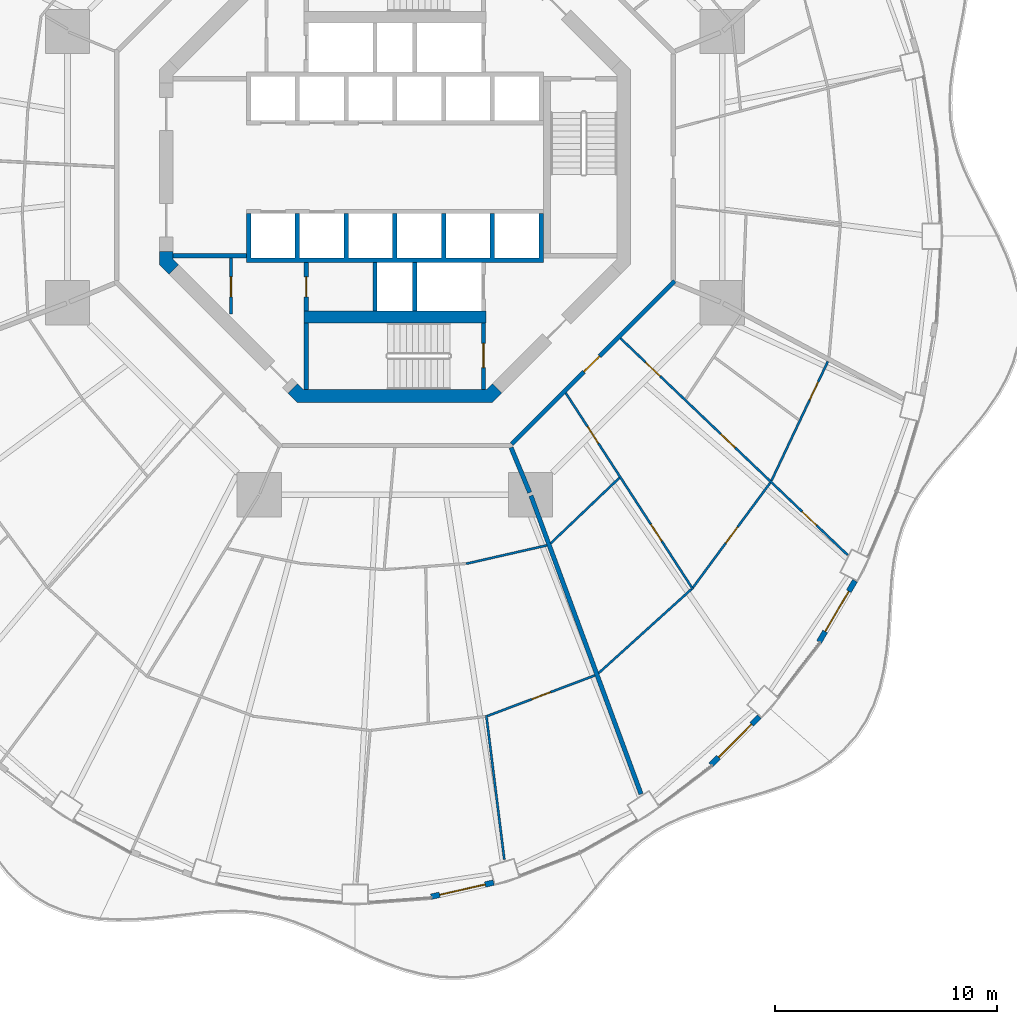
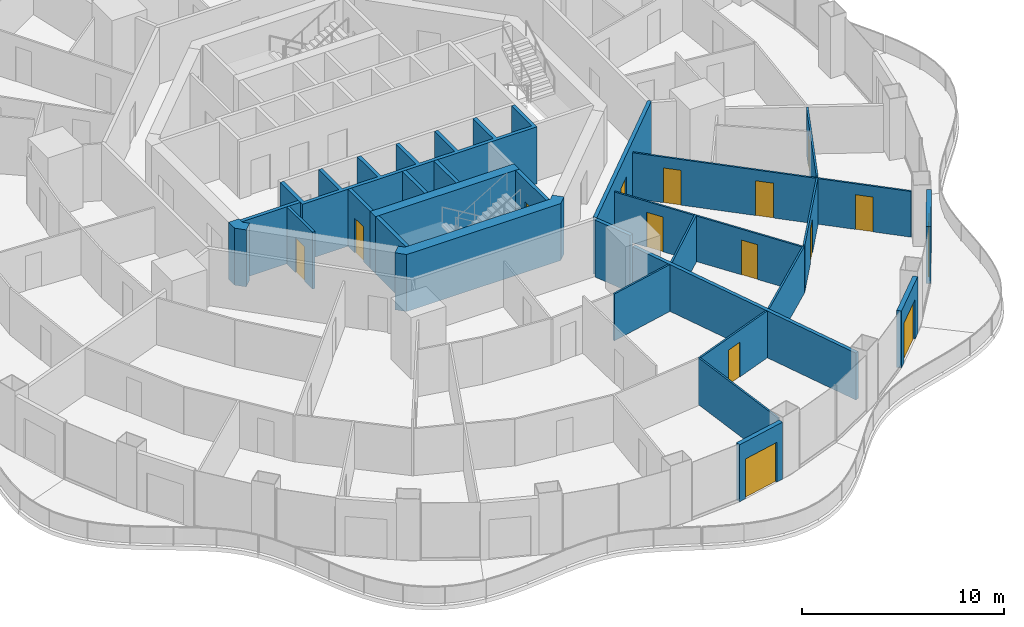
# One storey, part 13 of 20: 26 walls, 15 doors, 15 openings.
"""IFC4 building model written with IfcOpenShell, lengths in metres."""

import ifcopenshell
import ifcopenshell.guid

model = None  # the IFC model being written
_history = None  # IfcOwnerHistory: only IFC2X3 demands one
_inside = {}  # id of a spatial element -> (the spatial element, [elements in it])
_under = {}  # id of a project, library or spatial element -> (it, [spatial elements below it])
_declared = {}  # id of a project -> (the project, [libraries it declares])
_typed = {}  # id of a type object -> (the type object, [elements of that type])
_made_of = {}  # id of a material, layer set ... -> (it, [elements and type objects made of it])


def new_model(schema):
    """Start an empty IFC model of exactly this schema.

    Asked for "IFC4X3", IfcOpenShell would pick the latest addendum, in which some entities
    have other attributes; the version numbers below select the first issue.
    IFC2X3 requires an IfcOwnerHistory on every rooted entity: one is made here for all.
    """
    global model, _history
    if schema == "IFC4X3":
        model = ifcopenshell.file(schema_version=(4, 3, 0, 0))
    else:
        model = ifcopenshell.file(schema=schema)
    _inside.clear()
    _under.clear()
    _declared.clear()
    _typed.clear()
    _made_of.clear()
    _history = None
    if model.schema == "IFC2X3":
        org = make("IfcOrganization", Name="unknown")
        user = make(
            "IfcPersonAndOrganization",
            ThePerson=make("IfcPerson", FamilyName="unknown"),
            TheOrganization=org,
        )
        app = make(
            "IfcApplication",
            ApplicationDeveloper=org,
            Version="unknown",
            ApplicationFullName="unknown",
            ApplicationIdentifier="unknown",
        )
        _history = make(
            "IfcOwnerHistory",
            OwningUser=user,
            OwningApplication=app,
            ChangeAction="ADDED",
            CreationDate=0,
        )
    return model


def make(cls, **values):
    """One entity of the class cls with the attributes given. An attribute that is None is left unset."""
    return model.create_entity(
        cls, **{name: value for name, value in values.items() if value is not None}
    )


def rooted(cls, **values):
    """An entity with a GlobalId (a new one), such as an element, a storey or a relation."""
    return make(cls, GlobalId=ifcopenshell.guid.new(), OwnerHistory=_history, **values)


def si_unit(unit_type, name, prefix=None):
    """IfcSIUnit, for example si_unit("LENGTHUNIT", "METRE", prefix="MILLI")."""
    return make("IfcSIUnit", UnitType=unit_type, Prefix=prefix, Name=name)


def assignment(units):
    """IfcUnitAssignment: the units of a project."""
    return None if units is None else make("IfcUnitAssignment", Units=units)


def point(xyz):
    """IfcCartesianPoint."""
    return None if xyz is None else make("IfcCartesianPoint", Coordinates=xyz)


def direction(xyz):
    """IfcDirection."""
    return None if xyz is None else make("IfcDirection", DirectionRatios=xyz)


def frame(location, z_axis=None, x_axis=None):
    """IfcAxis2Placement3D, a coordinate frame: its origin and axes. An axis left out is left unset."""
    return make(
        "IfcAxis2Placement3D",
        Location=point(location),
        Axis=direction(z_axis),
        RefDirection=direction(x_axis),
    )


def frame_2d(location, x_axis=None):
    """IfcAxis2Placement2D, a coordinate frame in the plane: its origin and x axis."""
    return make(
        "IfcAxis2Placement2D", Location=point(location), RefDirection=direction(x_axis)
    )


def origin():
    """The frame at (0, 0, 0) with its axes left unset."""
    return frame((0.0, 0.0, 0.0))


def place(relative_to, where):
    """IfcLocalPlacement: puts the frame where relative to a parent placement (None: the world)."""
    return make(
        "IfcLocalPlacement", PlacementRelTo=relative_to, RelativePlacement=where
    )


def context(
    kind, dimensions, precision=None, world=None, true_north=None, identifier=None
):
    """IfcGeometricRepresentationContext, for example the 3D "Model" context."""
    return make(
        "IfcGeometricRepresentationContext",
        ContextIdentifier=identifier,
        ContextType=kind,
        CoordinateSpaceDimension=dimensions,
        Precision=precision,
        WorldCoordinateSystem=world,
        TrueNorth=true_north,
    )


def subcontext(parent, identifier, kind, view, scale=None):
    """IfcGeometricRepresentationSubContext, for example "Body" below "Model"."""
    return make(
        "IfcGeometricRepresentationSubContext",
        ContextIdentifier=identifier,
        ContextType=kind,
        ParentContext=parent,
        TargetScale=scale,
        TargetView=view,
    )


def project(units=None, contexts=None):
    """IfcProject with its units and contexts."""
    return rooted(
        "IfcProject",
        Name="project",
        RepresentationContexts=contexts,
        UnitsInContext=assignment(units),
    )


def spatial(cls, under=None, at=None, **own):
    """A site, building, storey or space (cls), placed at a placement, below another one or the project."""
    s = rooted(cls, ObjectPlacement=at, **own)
    if under is not None:
        _under.setdefault(under.id(), (under, []))[1].append(s)
    return s


def polyline(points):
    """IfcPolyline through the points."""
    return make("IfcPolyline", Points=[point(p) for p in points])


def profile(cls, at=None, kind="AREA", **sizes):
    """A parametric profile (cls). Its sizes go by their IFC names, for example OverallWidth=200.0."""
    return make(cls, ProfileType=kind, Position=at, **sizes)


def rectangle(**sizes):
    """IfcRectangleProfileDef."""
    return profile("IfcRectangleProfileDef", **sizes)


def outline(outer, holes=None, kind="AREA"):
    """IfcArbitraryClosedProfileDef: a profile drawn as a closed curve; with holes, ...WithVoids."""
    if holes is None:
        return make("IfcArbitraryClosedProfileDef", ProfileType=kind, OuterCurve=outer)
    return make(
        "IfcArbitraryProfileDefWithVoids",
        ProfileType=kind,
        OuterCurve=outer,
        InnerCurves=holes,
    )


def extrude(swept, where, along, depth):
    """IfcExtrudedAreaSolid: the profile swept, set in the frame where, extruded along a direction by depth."""
    return make(
        "IfcExtrudedAreaSolid",
        SweptArea=swept,
        Position=where,
        ExtrudedDirection=direction(along),
        Depth=depth,
    )


def shape(context_of_items, identifier, shape_type, items):
    """IfcShapeRepresentation: the items that make up one representation, for example the "Body"."""
    return make(
        "IfcShapeRepresentation",
        ContextOfItems=context_of_items,
        RepresentationIdentifier=identifier,
        RepresentationType=shape_type,
        Items=items,
    )


def material(Name=None, Category=None):
    """IfcMaterial."""
    return make("IfcMaterial", Name=Name, Category=Category)


def layer(
    of_material, thickness, ventilated=None, Name=None, Category=None, Priority=None
):
    """IfcMaterialLayer: one layer of a wall or slab, of a material (None: an air gap)."""
    return make(
        "IfcMaterialLayer",
        Material=of_material,
        LayerThickness=thickness,
        IsVentilated=ventilated,
        Name=Name,
        Category=Category,
        Priority=Priority,
    )


def layer_set(layers, Name=None):
    """IfcMaterialLayerSet."""
    return make("IfcMaterialLayerSet", MaterialLayers=layers, LayerSetName=Name)


def made_of(thing, what):
    """Note that an element or type object is made of a material, layer set ...; save() writes the relation."""
    if what is not None:
        _made_of.setdefault(what.id(), (what, []))[1].append(thing)
    return thing


def type_object(cls, material=None, **own):
    """A type object (cls), such as IfcWallType, which elements share."""
    return made_of(rooted(cls, **own), material)


def element(
    cls,
    number,
    at=None,
    inside=None,
    cuts=None,
    type_object=None,
    material=None,
    context=None,
    identifier="Body",
    shape_type=None,
    held_by="IfcProductDefinitionShape",
    body=None,
    shapes=None,
    **own,
):
    """One element of the class cls, such as IfcWall. Its Tag is "e" and its number.

    at: its placement. inside: the storey or other place that contains it. cuts: it is an
    opening in that element (IfcRelVoidsElement). A single representation is given by context,
    identifier, shape_type and body (its items); several are given by shapes. held_by: the class
    of the entity that holds the representations. save() writes the other relations.
    """
    e = rooted(cls, Tag="e%d" % number, ObjectPlacement=at, **own)
    if body is not None:
        shapes = [shape(context, identifier, shape_type, body)]
    if shapes is not None:
        e.Representation = make(held_by, Representations=shapes)
    if inside is not None:
        _inside.setdefault(inside.id(), (inside, []))[1].append(e)
    if cuts is not None:
        rooted(
            "IfcRelVoidsElement", RelatingBuildingElement=cuts, RelatedOpeningElement=e
        )
    if type_object is not None:
        _typed.setdefault(type_object.id(), (type_object, []))[1].append(e)
    return made_of(e, material)


def fill(opening, filler):
    """IfcRelFillsElement: the door or window that sits in an opening."""
    return rooted(
        "IfcRelFillsElement",
        RelatingOpeningElement=opening,
        RelatedBuildingElement=filler,
    )


def aggregate(whole, parts):
    """IfcRelAggregates: a whole, such as a stair, and the parts it consists of."""
    return rooted("IfcRelAggregates", RelatingObject=whole, RelatedObjects=parts)


def save(model, path):
    """Write the relations noted so far, then the file.

    IfcRelAggregates (storeys below a building ...), IfcRelContainedInSpatialStructure (elements
    in a storey), IfcRelDefinesByType, IfcRelAssociatesMaterial and IfcRelDeclares: one each for
    every whole, place, type object, material and project.
    """
    for whole, parts in _under.values():
        aggregate(whole, parts)
    for where, things in _inside.values():
        rooted(
            "IfcRelContainedInSpatialStructure",
            RelatedElements=things,
            RelatingStructure=where,
        )
    for kind, things in _typed.values():
        rooted("IfcRelDefinesByType", RelatedObjects=things, RelatingType=kind)
    for what, things in _made_of.values():
        rooted("IfcRelAssociatesMaterial", RelatedObjects=things, RelatingMaterial=what)
    for by, libraries in _declared.values():
        rooted("IfcRelDeclares", RelatingContext=by, RelatedDefinitions=libraries)
    model.write(path)


model = new_model("IFC4")

# Units and contexts
model_context = context("Model", 3, precision=1e-05, world=origin(), true_north=direction((0.0, 1.0)))
body_context = subcontext(model_context, "Body", "Model", "MODEL_VIEW")
ifc_project = project(units=[si_unit("LENGTHUNIT", "METRE"), si_unit("AREAUNIT", "SQUARE_METRE"), si_unit("VOLUMEUNIT", "CUBIC_METRE"), si_unit("PLANEANGLEUNIT", "RADIAN"), si_unit("MASSUNIT", "GRAM", prefix="KILO")], contexts=[model_context])

# Site, building, storey
site_placement = place(None, origin())
site = spatial("IfcSite", under=ifc_project, at=site_placement, CompositionType="ELEMENT")
building_placement = place(site_placement, origin())
building = spatial("IfcBuilding", under=site, at=building_placement, Name="Nagisa Residences", CompositionType="ELEMENT")
storey_placement = place(building_placement, frame((0.0, 0.0, 152.89990234375)))
storey = spatial("IfcBuildingStorey", under=building, at=storey_placement, Name="L38", CompositionType="ELEMENT", Elevation=152.89990234375)

# Walls
ifc_material_1 = material(Name="Gypsum board on steel studs", Category="steel")
ifc_layer_1 = layer(ifc_material_1, 0.199951171875)
ifc_layer_set_1 = layer_set([ifc_layer_1], Name="Apartment compartment wall EI60 200")
wall_type_1 = type_object("IfcWallType", Name="Apartment compartment wall EI60 200", PredefinedType="PARTITIONING", material=ifc_layer_set_1)
wall_1_placement = place(storey_placement, frame((5.24267578125, -12.6572265625, 0.0), z_axis=(0.0, 0.0, 1.0), x_axis=(0.38273085373, -0.923859888513, 0.0)))
element("IfcWall", 1, at=wall_1_placement, inside=storey, type_object=wall_type_1, Name="wall:L38:u08", PredefinedType="PARTITIONING", context=body_context, shape_type="SweptSolid", body=[
    extrude(rectangle(XDim=2.199462890625, YDim=0.199951171875, at=frame_2d((1.099609375, 0.0))), origin(), (0.0, 0.0, 1.0), 3.440185546875),
])
wall_2_placement = place(storey_placement, frame((6.14013671875, -14.8291015625, 0.0), z_axis=(0.0, 0.0, 1.0), x_axis=(0.346169582481, -0.938171956608, 0.0)))
element("IfcWall", 2, at=wall_2_placement, inside=storey, type_object=wall_type_1, Name="wall:L38:u09", PredefinedType="PARTITIONING", context=body_context, shape_type="SweptSolid", body=[
    extrude(rectangle(XDim=14.353515625, YDim=0.199951171875, at=frame_2d((7.1767578125, 0.0))), origin(), (0.0, 0.0, 1.0), 2.828125),
])

# Wall, opening, door
ifc_material_2 = material(Name="Gypsum board on steel studs", Category="steel")
ifc_layer_2 = layer(ifc_material_2, 0.199951171875)
ifc_layer_set_2 = layer_set([ifc_layer_2], Name="Apartment entry wall EI60 200")
wall_type_2 = type_object("IfcWallType", Name="Apartment entry wall EI60 200", PredefinedType="PARTITIONING", material=ifc_layer_set_2)
wall_3_placement = place(storey_placement, frame((5.275146484375, -12.494140625, 0.0), z_axis=(0.0, 0.0, 1.0), x_axis=(0.707106781187, 0.707106781187, 0.0)))
wall_3 = element("IfcWall", 3, at=wall_3_placement, inside=storey, type_object=wall_type_2, Name="wall:L38:u19", PredefinedType="PARTITIONING", context=body_context, shape_type="SweptSolid", body=[
    extrude(rectangle(XDim=10.4091796875, YDim=0.199951171875, at=frame_2d((5.20458984375, 0.0))), origin(), (0.0, 0.0, 1.0), 3.440185546875),
])
opening_1_placement = place(wall_3_placement, frame((4.6044921875, 0.0, 0.0)))
opening_1 = element("IfcOpeningElement", 4, at=opening_1_placement, cuts=wall_3, Name="Opening L38-U01", PredefinedType="OPENING", context=body_context, shape_type="SweptSolid", body=[
    extrude(rectangle(XDim=1.0, YDim=2.10009765625, at=frame_2d((0.5, 1.050048828125))), frame((0.0, 0.10986328125, 0.0), z_axis=(0.0, -1.0, 0.0), x_axis=(1.0, 0.0, 0.0)), (0.0, 0.0, 1.0), 0.219970703125),
])
ifc_material_3 = material(Name="Timber fire door set", Category="wood")
door_type_1 = type_object("IfcDoorType", Name="Apartment entry door FD30S 1000x2100", OperationType="NOTDEFINED", PredefinedType="DOOR", material=ifc_material_3)
door_1_placement = place(opening_1_placement, frame((1.0, 0.0, 0.0), x_axis=(-1.0, 0.0, 0.0)))
door_1 = element("IfcDoor", 5, at=door_1_placement, inside=storey, type_object=door_type_1, Name="Entry door, Apartment 38A", OperationType="SINGLE_SWING_RIGHT", OverallHeight=2.10009765625, OverallWidth=1.0, PredefinedType="DOOR", context=body_context, shape_type="SweptSolid", body=[
    extrude(rectangle(XDim=1.0, YDim=2.10009765625, at=frame_2d((0.5, 1.050048828125))), frame((0.0, 0.02490234375, 0.0), z_axis=(0.0, -1.0, 0.0), x_axis=(1.0, 0.0, 0.0)), (0.0, 0.0, 1.0), 0.050048828125),
])
fill(opening_1, door_1)

# Walls
ifc_material_4 = material(Name="Gypsum board on steel studs", Category="steel")
ifc_layer_3 = layer(ifc_material_4, 0.10009765625)
ifc_layer_set_3 = layer_set([ifc_layer_3], Name="Apartment partition 100")
wall_type_3 = type_object("IfcWallType", Name="Apartment partition 100", PredefinedType="PARTITIONING", material=ifc_layer_set_3)
wall_4_placement = place(storey_placement, frame((3.21923828125, -17.89990234375, 0.0), z_axis=(0.0, 0.0, 1.0), x_axis=(0.975106528652, 0.22173691118, 0.0)))
element("IfcWall", 6, at=wall_4_placement, inside=storey, type_object=wall_type_3, Name="wall:L38:u80", PredefinedType="PARTITIONING", context=body_context, shape_type="SweptSolid", body=[
    extrude(rectangle(XDim=3.73583984375, YDim=0.10009765625, at=frame_2d((1.867919921875, 0.0))), origin(), (0.0, 0.0, 1.0), 2.828125),
])
wall_5_placement = place(storey_placement, frame((4.124755859375, -24.740966796875, 0.0), z_axis=(0.0, 0.0, 1.0), x_axis=(0.124066794607, -0.992273868685, 0.0)))
element("IfcWall", 7, at=wall_5_placement, inside=storey, type_object=wall_type_3, Name="wall:L38:u81", PredefinedType="PARTITIONING", context=body_context, shape_type="SweptSolid", body=[
    extrude(rectangle(XDim=6.560791015625, YDim=0.10009765625, at=frame_2d((3.2802734375, 0.0))), origin(), (0.0, 0.0, 1.0), 2.828125),
])

# Wall, opening, door
wall_6_placement = place(storey_placement, frame((4.177734375, -24.77294921875, 0.0), z_axis=(0.0, 0.0, 1.0), x_axis=(0.935583811437, 0.353104703702, 0.0)))
wall_6 = element("IfcWall", 8, at=wall_6_placement, inside=storey, type_object=wall_type_3, Name="wall:L38:u82", PredefinedType="PARTITIONING", context=body_context, shape_type="SweptSolid", body=[
    extrude(rectangle(XDim=5.18359375, YDim=0.10009765625, at=frame_2d((2.591796875, 0.0))), origin(), (0.0, 0.0, 1.0), 2.828125),
])
opening_2_placement = place(wall_6_placement, frame((2.141845703125, 0.0, 0.0)))
opening_2 = element("IfcOpeningElement", 9, at=opening_2_placement, cuts=wall_6, Name="Opening L38-U58", PredefinedType="OPENING", context=body_context, shape_type="SweptSolid", body=[
    extrude(rectangle(XDim=0.89990234375, YDim=2.10009765625, at=frame_2d((0.449951171875, 1.050048828125))), frame((0.0, 0.06005859375, 0.0), z_axis=(0.0, -1.0, 0.0), x_axis=(1.0, 0.0, 0.0)), (0.0, 0.0, 1.0), 0.1201171875),
])
ifc_material_5 = material(Name="Timber door set", Category="wood")
door_type_2 = type_object("IfcDoorType", Name="Apartment door 900x2100", OperationType="NOTDEFINED", PredefinedType="DOOR", material=ifc_material_5)
door_2_placement = place(opening_2_placement, frame((0.89990234375, 0.0, 0.0), x_axis=(-1.0, 0.0, 0.0)))
door_2 = element("IfcDoor", 10, at=door_2_placement, inside=storey, type_object=door_type_2, Name="Door to kitchen, Apartment 38F", OperationType="SINGLE_SWING_LEFT", OverallHeight=2.10009765625, OverallWidth=0.89990234375, PredefinedType="DOOR", context=body_context, shape_type="SweptSolid", body=[
    extrude(rectangle(XDim=0.89990234375, YDim=2.10009765625, at=frame_2d((0.449951171875, 1.050048828125))), frame((0.0, 0.02490234375, 0.0), z_axis=(0.0, -1.0, 0.0), x_axis=(1.0, 0.0, 0.0)), (0.0, 0.0, 1.0), 0.050048828125),
])
fill(opening_2, door_2)

# Walls
wall_7_placement = place(storey_placement, frame((7.031982421875, -16.98046875, 0.0), z_axis=(0.0, 0.0, 1.0), x_axis=(0.723709759148, 0.690104473622, 0.0)))
element("IfcWall", 11, at=wall_7_placement, inside=storey, type_object=wall_type_3, Name="wall:L38:u83", PredefinedType="PARTITIONING", context=body_context, shape_type="SweptSolid", body=[
    extrude(rectangle(XDim=4.286376953125, YDim=0.10009765625, at=frame_2d((2.14306640625, 0.0))), origin(), (0.0, 0.0, 1.0), 2.828125),
])
wall_8_placement = place(storey_placement, frame((9.195068359375, -22.84033203125, 0.0), z_axis=(0.0, 0.0, 1.0), x_axis=(0.741675855479, 0.670758470241, 0.0)))
element("IfcWall", 12, at=wall_8_placement, inside=storey, type_object=wall_type_3, Name="wall:L38:u84", PredefinedType="PARTITIONING", context=body_context, shape_type="SweptSolid", body=[
    extrude(rectangle(XDim=5.65625, YDim=0.10009765625, at=frame_2d((2.828125, 0.0))), origin(), (0.0, 0.0, 1.0), 2.828125),
])

# Wall, openings, doors
wall_9_placement = place(storey_placement, frame((7.71240234375, -10.1953125, 0.0), z_axis=(0.0, 0.0, 1.0), x_axis=(0.543868615753, -0.839170381269, 0.0)))
wall_9 = element("IfcWall", 13, at=wall_9_placement, inside=storey, type_object=wall_type_3, Name="wall:L38:u85", PredefinedType="PARTITIONING", context=body_context, shape_type="SweptSolid", body=[
    extrude(rectangle(XDim=10.5576171875, YDim=0.10009765625, at=frame_2d((5.27880859375, 0.0))), origin(), (0.0, 0.0, 1.0), 2.756103515625),
])
opening_3_placement = place(wall_9_placement, frame((1.809814453125, 0.0, 0.0)))
opening_3 = element("IfcOpeningElement", 14, at=opening_3_placement, cuts=wall_9, Name="Opening L38-U02", PredefinedType="OPENING", context=body_context, shape_type="SweptSolid", body=[
    extrude(rectangle(XDim=0.89990234375, YDim=2.10009765625, at=frame_2d((0.449951171875, 1.050048828125))), frame((0.0, 0.06005859375, 0.0), z_axis=(0.0, -1.0, 0.0), x_axis=(1.0, 0.0, 0.0)), (0.0, 0.0, 1.0), 0.1201171875),
])
opening_4_placement = place(wall_9_placement, frame((7.063720703125, 0.0, 0.0)))
opening_4 = element("IfcOpeningElement", 15, at=opening_4_placement, cuts=wall_9, Name="Opening L38-U04", PredefinedType="OPENING", context=body_context, shape_type="SweptSolid", body=[
    extrude(rectangle(XDim=0.89990234375, YDim=2.10009765625, at=frame_2d((0.449951171875, 1.050048828125))), frame((0.0, 0.06005859375, 0.0), z_axis=(0.0, -1.0, 0.0), x_axis=(1.0, 0.0, 0.0)), (0.0, 0.0, 1.0), 0.1201171875),
])
door_3_placement = place(opening_3_placement, frame((0.89990234375, 0.0, 0.0), x_axis=(-1.0, 0.0, 0.0)))
door_3 = element("IfcDoor", 16, at=door_3_placement, inside=storey, type_object=door_type_2, Name="Door to laundry, Apartment 38A", OperationType="SINGLE_SWING_LEFT", OverallHeight=2.10009765625, OverallWidth=0.89990234375, PredefinedType="DOOR", context=body_context, shape_type="SweptSolid", body=[
    extrude(rectangle(XDim=0.89990234375, YDim=2.10009765625, at=frame_2d((0.449951171875, 1.050048828125))), frame((0.0, 0.02490234375, 0.0), z_axis=(0.0, -1.0, 0.0), x_axis=(1.0, 0.0, 0.0)), (0.0, 0.0, 1.0), 0.050048828125),
])
fill(opening_3, door_3)
door_4_placement = place(opening_4_placement, frame((0.89990234375, 0.0, 0.0), x_axis=(-1.0, 0.0, 0.0)))
door_4 = element("IfcDoor", 17, at=door_4_placement, inside=storey, type_object=door_type_2, Name="Door to kitchen, Apartment 38A", OperationType="SINGLE_SWING_LEFT", OverallHeight=2.10009765625, OverallWidth=0.89990234375, PredefinedType="DOOR", context=body_context, shape_type="SweptSolid", body=[
    extrude(rectangle(XDim=0.89990234375, YDim=2.10009765625, at=frame_2d((0.449951171875, 1.050048828125))), frame((0.0, 0.02490234375, 0.0), z_axis=(0.0, -1.0, 0.0), x_axis=(1.0, 0.0, 0.0)), (0.0, 0.0, 1.0), 0.050048828125),
])
fill(opening_4, door_4)

# Wall, opening, door
wall_10_placement = place(storey_placement, frame((13.456787109375, -18.97265625, 0.0), z_axis=(0.0, 0.0, 1.0), x_axis=(0.593532053206, 0.80481035146, 0.0)))
wall_10 = element("IfcWall", 18, at=wall_10_placement, inside=storey, type_object=wall_type_3, Name="wall:L38:u86", PredefinedType="PARTITIONING", context=body_context, shape_type="SweptSolid", body=[
    extrude(rectangle(XDim=5.8759765625, YDim=0.10009765625, at=frame_2d((2.93798828125, 0.0))), origin(), (0.0, 0.0, 1.0), 2.828125),
])
opening_5_placement = place(wall_10_placement, frame((2.48779296875, 0.0, 0.0)))
opening_5 = element("IfcOpeningElement", 19, at=opening_5_placement, cuts=wall_10, Name="Opening L38-U06", PredefinedType="OPENING", context=body_context, shape_type="SweptSolid", body=[
    extrude(rectangle(XDim=0.89990234375, YDim=2.10009765625, at=frame_2d((0.449951171875, 1.050048828125))), frame((0.0, 0.06005859375, 0.0), z_axis=(0.0, -1.0, 0.0), x_axis=(1.0, 0.0, 0.0)), (0.0, 0.0, 1.0), 0.1201171875),
])
door_5_placement = place(opening_5_placement, frame((0.89990234375, 0.0, 0.0), x_axis=(-1.0, 0.0, 0.0)))
door_5 = element("IfcDoor", 20, at=door_5_placement, inside=storey, type_object=door_type_2, Name="Door to family room, Apartment 38A", OperationType="SINGLE_SWING_LEFT", OverallHeight=2.10009765625, OverallWidth=0.89990234375, PredefinedType="DOOR", context=body_context, shape_type="SweptSolid", body=[
    extrude(rectangle(XDim=0.89990234375, YDim=2.10009765625, at=frame_2d((0.449951171875, 1.050048828125))), frame((0.0, 0.02490234375, 0.0), z_axis=(0.0, -1.0, 0.0), x_axis=(1.0, 0.0, 0.0)), (0.0, 0.0, 1.0), 0.050048828125),
])
fill(opening_5, door_5)

# Wall, openings, doors
wall_11_placement = place(storey_placement, frame((10.18359375, -7.72705078125, 0.0), z_axis=(0.0, 0.0, 1.0), x_axis=(0.723635100101, -0.690182759783, 0.0)))
wall_11 = element("IfcWall", 21, at=wall_11_placement, inside=storey, type_object=wall_type_3, Name="wall:L38:u87", PredefinedType="PARTITIONING", context=body_context, shape_type="SweptSolid", body=[
    extrude(rectangle(XDim=14.173095703125, YDim=0.10009765625, at=frame_2d((7.08642578125, 0.0))), origin(), (0.0, 0.0, 1.0), 2.756103515625),
])
opening_6_placement = place(wall_11_placement, frame((1.56494140625, 0.0, 0.0)))
opening_6 = element("IfcOpeningElement", 22, at=opening_6_placement, cuts=wall_11, Name="Opening L38-U03", PredefinedType="OPENING", context=body_context, shape_type="SweptSolid", body=[
    extrude(rectangle(XDim=0.89990234375, YDim=2.10009765625, at=frame_2d((0.449951171875, 1.050048828125))), frame((0.0, 0.06005859375, 0.0), z_axis=(0.0, -1.0, 0.0), x_axis=(1.0, 0.0, 0.0)), (0.0, 0.0, 1.0), 0.1201171875),
])
opening_7_placement = place(wall_11_placement, frame((6.2568359375, 0.0, 0.0)))
opening_7 = element("IfcOpeningElement", 23, at=opening_7_placement, cuts=wall_11, Name="Opening L38-U05", PredefinedType="OPENING", context=body_context, shape_type="SweptSolid", body=[
    extrude(rectangle(XDim=0.89990234375, YDim=2.10009765625, at=frame_2d((0.449951171875, 1.050048828125))), frame((0.0, 0.06005859375, 0.0), z_axis=(0.0, -1.0, 0.0), x_axis=(1.0, 0.0, 0.0)), (0.0, 0.0, 1.0), 0.1201171875),
])
opening_8_placement = place(wall_11_placement, frame((11.328369140625, 0.0, 0.0)))
opening_8 = element("IfcOpeningElement", 24, at=opening_8_placement, cuts=wall_11, Name="Opening L38-U07", PredefinedType="OPENING", context=body_context, shape_type="SweptSolid", body=[
    extrude(rectangle(XDim=0.89990234375, YDim=2.10009765625, at=frame_2d((0.449951171875, 1.050048828125))), frame((0.0, 0.06005859375, 0.0), z_axis=(0.0, -1.0, 0.0), x_axis=(1.0, 0.0, 0.0)), (0.0, 0.0, 1.0), 0.1201171875),
])
door_6_placement = place(opening_6_placement, origin())
door_6 = element("IfcDoor", 25, at=door_6_placement, inside=storey, type_object=door_type_2, Name="Door to store, Apartment 38A", OperationType="SINGLE_SWING_LEFT", OverallHeight=2.10009765625, OverallWidth=0.89990234375, PredefinedType="DOOR", context=body_context, shape_type="SweptSolid", body=[
    extrude(rectangle(XDim=0.89990234375, YDim=2.10009765625, at=frame_2d((0.449951171875, 1.050048828125))), frame((0.0, 0.02490234375, 0.0), z_axis=(0.0, -1.0, 0.0), x_axis=(1.0, 0.0, 0.0)), (0.0, 0.0, 1.0), 0.050048828125),
])
fill(opening_6, door_6)
door_7_placement = place(opening_7_placement, origin())
door_7 = element("IfcDoor", 26, at=door_7_placement, inside=storey, type_object=door_type_2, Name="Door to family bathroom, Apartment 38A", OperationType="SINGLE_SWING_LEFT", OverallHeight=2.10009765625, OverallWidth=0.89990234375, PredefinedType="DOOR", context=body_context, shape_type="SweptSolid", body=[
    extrude(rectangle(XDim=0.89990234375, YDim=2.10009765625, at=frame_2d((0.449951171875, 1.050048828125))), frame((0.0, 0.02490234375, 0.0), z_axis=(0.0, -1.0, 0.0), x_axis=(1.0, 0.0, 0.0)), (0.0, 0.0, 1.0), 0.050048828125),
])
fill(opening_7, door_7)
door_8_placement = place(opening_8_placement, origin())
door_8 = element("IfcDoor", 27, at=door_8_placement, inside=storey, type_object=door_type_2, Name="Door to master bedroom, Apartment 38A", OperationType="SINGLE_SWING_LEFT", OverallHeight=2.10009765625, OverallWidth=0.89990234375, PredefinedType="DOOR", context=body_context, shape_type="SweptSolid", body=[
    extrude(rectangle(XDim=0.89990234375, YDim=2.10009765625, at=frame_2d((0.449951171875, 1.050048828125))), frame((0.0, 0.02490234375, 0.0), z_axis=(0.0, -1.0, 0.0), x_axis=(1.0, 0.0, 0.0)), (0.0, 0.0, 1.0), 0.050048828125),
])
fill(opening_8, door_8)

# Wall, opening, door
wall_12_placement = place(storey_placement, frame((16.995361328125, -14.158203125, 0.0), z_axis=(0.0, 0.0, 1.0), x_axis=(0.427436809038, 0.904045228005, 0.0)))
wall_12 = element("IfcWall", 28, at=wall_12_placement, inside=storey, type_object=wall_type_3, Name="wall:L38:u89", PredefinedType="PARTITIONING", context=body_context, shape_type="SweptSolid", body=[
    extrude(rectangle(XDim=5.963134765625, YDim=0.10009765625, at=frame_2d((2.9814453125, 0.0))), origin(), (0.0, 0.0, 1.0), 2.828125),
])
opening_9_placement = place(wall_12_placement, frame((4.034912109375, 0.0, 0.0)))
opening_9 = element("IfcOpeningElement", 29, at=opening_9_placement, cuts=wall_12, Name="Opening L38-U08", PredefinedType="OPENING", context=body_context, shape_type="SweptSolid", body=[
    extrude(rectangle(XDim=0.89990234375, YDim=2.10009765625, at=frame_2d((0.449951171875, 1.050048828125))), frame((0.0, 0.06005859375, 0.0), z_axis=(0.0, -1.0, 0.0), x_axis=(1.0, 0.0, 0.0)), (0.0, 0.0, 1.0), 0.1201171875),
])
door_9_placement = place(opening_9_placement, origin())
door_9 = element("IfcDoor", 30, at=door_9_placement, inside=storey, type_object=door_type_2, Name="Door to en-suite bathroom, Apartment 38A", OperationType="SINGLE_SWING_RIGHT", OverallHeight=2.10009765625, OverallWidth=0.89990234375, PredefinedType="DOOR", context=body_context, shape_type="SweptSolid", body=[
    extrude(rectangle(XDim=0.89990234375, YDim=2.10009765625, at=frame_2d((0.449951171875, 1.050048828125))), frame((0.0, 0.02490234375, 0.0), z_axis=(0.0, -1.0, 0.0), x_axis=(1.0, 0.0, 0.0)), (0.0, 0.0, 1.0), 0.050048828125),
])
fill(opening_9, door_9)

ifc_material_6 = material(Name="Precast concrete C40/50", Category="concrete")
ifc_layer_4 = layer(ifc_material_6, 0.25)
ifc_layer_set_4 = layer_set([ifc_layer_4], Name="BALCONY DOOR WALL 250")
wall_type_4 = type_object("IfcWallType", Name="BALCONY DOOR WALL 250", PredefinedType="SOLIDWALL", material=ifc_layer_set_4)
wall_13_placement = place(storey_placement, frame((4.455078125, -32.29443359375, 0.0), z_axis=(0.0, 0.0, 1.0), x_axis=(-0.975339035722, -0.220711951186, 0.0)))
wall_13 = element("IfcWall", 31, at=wall_13_placement, inside=storey, type_object=wall_type_4, Name="wall:L38:bay37", PredefinedType="SOLIDWALL", context=body_context, shape_type="SweptSolid", body=[
    extrude(rectangle(XDim=2.890380859375, YDim=0.25, at=frame_2d((1.4453125, 0.0))), origin(), (0.0, 0.0, 1.0), 3.440185546875),
])
opening_10_placement = place(wall_13_placement, frame((0.395263671875, 0.0, 0.0)))
opening_10 = element("IfcOpeningElement", 32, at=opening_10_placement, cuts=wall_13, Name="Opening BD-L38-13", PredefinedType="OPENING", context=body_context, shape_type="SweptSolid", body=[
    extrude(rectangle(XDim=2.10009765625, YDim=2.39990234375, at=frame_2d((1.050048828125, 1.199951171875))), frame((0.0, 0.135009765625, 0.0), z_axis=(0.0, -1.0, 0.0), x_axis=(1.0, 0.0, 0.0)), (0.0, 0.0, 1.0), 0.27001953125),
])
ifc_material_7 = material(Name="Aluminium and clear glass", Category="aluminium")
door_type_3 = type_object("IfcDoorType", Name="BALCONY SLIDING DOOR 2100x2400", OperationType="SLIDING_TO_LEFT", PredefinedType="DOOR", material=ifc_material_7)
door_10_placement = place(opening_10_placement, origin())
door_10 = element("IfcDoor", 33, at=door_10_placement, inside=storey, type_object=door_type_3, Name="door:L38:bay37", OperationType="SLIDING_TO_LEFT", OverallHeight=2.39990234375, OverallWidth=2.10009765625, PredefinedType="DOOR", context=body_context, shape_type="SweptSolid", body=[
    extrude(rectangle(XDim=2.10009765625, YDim=2.39990234375, at=frame_2d((1.050048828125, 1.199951171875))), frame((0.0, 0.02490234375, 0.0), z_axis=(0.0, -1.0, 0.0), x_axis=(1.0, 0.0, 0.0)), (0.0, 0.0, 1.0), 0.050048828125),
])
fill(opening_10, door_10)

wall_14_placement = place(storey_placement, frame((16.4501953125, -24.80419921875, 0.0), z_axis=(0.0, 0.0, 1.0), x_axis=(-0.707857739375, -0.706355024621, 0.0)))
wall_14 = element("IfcWall", 34, at=wall_14_placement, inside=storey, type_object=wall_type_4, Name="wall:L38:bay41", PredefinedType="SOLIDWALL", context=body_context, shape_type="SweptSolid", body=[
    extrude(rectangle(XDim=3.0869140625, YDim=0.25, at=frame_2d((1.54345703125, 0.0))), origin(), (0.0, 0.0, 1.0), 3.440185546875),
])
opening_11_placement = place(wall_14_placement, frame((0.493408203125, 0.0, 0.0)))
opening_11 = element("IfcOpeningElement", 35, at=opening_11_placement, cuts=wall_14, Name="Opening BD-L38-14", PredefinedType="OPENING", context=body_context, shape_type="SweptSolid", body=[
    extrude(rectangle(XDim=2.10009765625, YDim=2.39990234375, at=frame_2d((1.050048828125, 1.199951171875))), frame((0.0, 0.135009765625, 0.0), z_axis=(0.0, -1.0, 0.0), x_axis=(1.0, 0.0, 0.0)), (0.0, 0.0, 1.0), 0.27001953125),
])
door_11_placement = place(opening_11_placement, origin())
door_11 = element("IfcDoor", 36, at=door_11_placement, inside=storey, type_object=door_type_3, Name="door:L38:bay41", OperationType="SLIDING_TO_LEFT", OverallHeight=2.39990234375, OverallWidth=2.10009765625, PredefinedType="DOOR", context=body_context, shape_type="SweptSolid", body=[
    extrude(rectangle(XDim=2.10009765625, YDim=2.39990234375, at=frame_2d((1.050048828125, 1.199951171875))), frame((0.0, 0.02490234375, 0.0), z_axis=(0.0, -1.0, 0.0), x_axis=(1.0, 0.0, 0.0)), (0.0, 0.0, 1.0), 0.050048828125),
])
fill(opening_11, door_11)

wall_15_placement = place(storey_placement, frame((20.768310546875, -18.669189453125, 0.0), z_axis=(0.0, 0.0, 1.0), x_axis=(-0.506314982873, -0.862348617508, 0.0)))
wall_15 = element("IfcWall", 37, at=wall_15_placement, inside=storey, type_object=wall_type_4, Name="wall:L38:bay43", PredefinedType="SOLIDWALL", context=body_context, shape_type="SweptSolid", body=[
    extrude(rectangle(XDim=3.20849609375, YDim=0.25, at=frame_2d((1.604248046875, 0.0))), origin(), (0.0, 0.0, 1.0), 3.440185546875),
])
opening_12_placement = place(wall_15_placement, frame((0.55419921875, 0.0, 0.0)))
opening_12 = element("IfcOpeningElement", 38, at=opening_12_placement, cuts=wall_15, Name="Opening BD-L38-15", PredefinedType="OPENING", context=body_context, shape_type="SweptSolid", body=[
    extrude(rectangle(XDim=2.10009765625, YDim=2.39990234375, at=frame_2d((1.050048828125, 1.199951171875))), frame((0.0, 0.135009765625, 0.0), z_axis=(0.0, -1.0, 0.0), x_axis=(1.0, 0.0, 0.0)), (0.0, 0.0, 1.0), 0.27001953125),
])
door_12_placement = place(opening_12_placement, origin())
door_12 = element("IfcDoor", 39, at=door_12_placement, inside=storey, type_object=door_type_3, Name="door:L38:bay43", OperationType="SLIDING_TO_LEFT", OverallHeight=2.39990234375, OverallWidth=2.10009765625, PredefinedType="DOOR", context=body_context, shape_type="SweptSolid", body=[
    extrude(rectangle(XDim=2.10009765625, YDim=2.39990234375, at=frame_2d((1.050048828125, 1.199951171875))), frame((0.0, 0.02490234375, 0.0), z_axis=(0.0, -1.0, 0.0), x_axis=(1.0, 0.0, 0.0)), (0.0, 0.0, 1.0), 0.050048828125),
])
fill(opening_12, door_12)

ifc_material_8 = material(Name="Gypsum board on steel studs", Category="steel")
ifc_layer_5 = layer(ifc_material_8, 0.14990234375)
ifc_layer_set_5 = layer_set([ifc_layer_5], Name="Core partition 150")
wall_type_5 = type_object("IfcWallType", Name="Core partition 150", PredefinedType="PARTITIONING", material=ifc_layer_set_5)
wall_16_placement = place(storey_placement, frame((-7.39990234375, -6.626953125, 0.0), z_axis=(0.0, 0.0, 1.0), x_axis=(0.0, 1.0, 0.0)))
wall_16 = element("IfcWall", 40, at=wall_16_placement, inside=storey, type_object=wall_type_5, Name="wall:L38:SWp", PredefinedType="PARTITIONING", context=body_context, shape_type="SweptSolid", body=[
    extrude(rectangle(XDim=2.52685546875, YDim=0.14990234375, at=frame_2d((1.263427734375, 0.0))), origin(), (0.0, 0.0, 1.0), 3.440185546875),
])
opening_13_placement = place(wall_16_placement, frame((0.77587890625, 0.0, 0.0)))
opening_13 = element("IfcOpeningElement", 41, at=opening_13_placement, cuts=wall_16, Name="Opening L38-C13", PredefinedType="OPENING", context=body_context, shape_type="SweptSolid", body=[
    extrude(rectangle(XDim=0.89990234375, YDim=2.10009765625, at=frame_2d((0.449951171875, 1.050048828125))), frame((0.0, 0.0849609375, 0.0), z_axis=(0.0, -1.0, 0.0), x_axis=(1.0, 0.0, 0.0)), (0.0, 0.0, 1.0), 0.169921875),
])
ifc_material_9 = material(Name="Steel fire door", Category="steel")
door_type_4 = type_object("IfcDoorType", Name="Fire door EI30 900x2100 single swing", OperationType="NOTDEFINED", PredefinedType="DOOR", material=ifc_material_9)
door_13_placement = place(opening_13_placement, origin())
door_13 = element("IfcDoor", 42, at=door_13_placement, inside=storey, type_object=door_type_4, Name="Valet store door L38", OperationType="SINGLE_SWING_RIGHT", OverallHeight=2.10009765625, OverallWidth=0.89990234375, PredefinedType="DOOR", context=body_context, shape_type="SweptSolid", body=[
    extrude(rectangle(XDim=0.89990234375, YDim=2.10009765625, at=frame_2d((0.449951171875, 1.050048828125))), frame((0.0, 0.02490234375, 0.0), z_axis=(0.0, -1.0, 0.0), x_axis=(1.0, 0.0, 0.0)), (0.0, 0.0, 1.0), 0.050048828125),
])
fill(opening_13, door_13)

# Walls
ifc_material_10 = material(Name="Gypsum board on steel studs", Category="steel")
ifc_layer_6 = layer(ifc_material_10, 0.199951171875)
ifc_layer_set_6 = layer_set([ifc_layer_6], Name="Core partition 200")
wall_type_6 = type_object("IfcWallType", Name="Core partition 200", PredefinedType="PARTITIONING", material=ifc_layer_set_6)
wall_17_placement = place(storey_placement, frame((-10.024658203125, -4.0, 0.0), z_axis=(0.0, 0.0, 1.0), x_axis=(1.0, 0.0, 0.0)))
element("IfcWall", 43, at=wall_17_placement, inside=storey, type_object=wall_type_6, Name="wall:L38:PSW", PredefinedType="PARTITIONING", context=body_context, shape_type="SweptSolid", body=[
    extrude(rectangle(XDim=3.32470703125, YDim=0.199951171875, at=frame_2d((1.662353515625, 0.0))), origin(), (0.0, 0.0, 1.0), 3.440185546875),
])
ifc_material_11 = material(Name="Concrete C60", Category="concrete")
ifc_layer_7 = layer(ifc_material_11, 0.60009765625)
ifc_layer_set_7 = layer_set([ifc_layer_7], Name="Core shear wall 600")
wall_type_7 = type_object("IfcWallType", Name="Core shear wall 600", PredefinedType="SHEAR", material=ifc_layer_set_7)
wall_18_placement = place(storey_placement, origin())
element("IfcWall", 44, at=wall_18_placement, inside=storey, type_object=wall_type_7, Name="wall:L38:core:pier4", PredefinedType="SHEAR", context=body_context, shape_type="SweptSolid", body=[
    extrude(outline(polyline([(-10.62451171875, -3.80078125), (-10.024658203125, -3.80078125), (-10.024658203125, -4.15234375), (-9.776123046875, -4.40087890625), (-10.200439453125, -4.8251953125), (-10.62451171875, -4.40087890625), (-10.62451171875, -3.80078125)])), origin(), (0.0, 0.0, 1.0), 3.440185546875),
])
wall_19_placement = place(storey_placement, origin())
element("IfcWall", 45, at=wall_19_placement, inside=storey, type_object=wall_type_7, Name="wall:L38:core:flat6", PredefinedType="SHEAR", context=body_context, shape_type="SweptSolid", body=[
    extrude(outline(polyline([(-4.15234375, -10.024658203125), (4.15234375, -10.024658203125), (4.40087890625, -9.776123046875), (4.8251953125, -10.200439453125), (4.40087890625, -10.62451171875), (-4.40087890625, -10.62451171875), (-4.8251953125, -10.200439453125), (-4.40087890625, -9.776123046875), (-4.15234375, -10.024658203125)])), origin(), (0.0, 0.0, 1.0), 3.440185546875),
])

# Wall, opening, door
ifc_material_12 = material(Name="Concrete C60", Category="concrete")
ifc_layer_8 = layer(ifc_material_12, 0.199951171875)
ifc_layer_set_8 = layer_set([ifc_layer_8], Name="Lift shaft wall 200")
wall_type_8 = type_object("IfcWallType", Name="Lift shaft wall 200", PredefinedType="SOLIDWALL", material=ifc_layer_set_8)
wall_20_placement = place(storey_placement, frame((-4.0, -6.5, 0.0), z_axis=(0.0, 0.0, 1.0), x_axis=(0.0, 1.0, 0.0)))
wall_20 = element("IfcWall", 46, at=wall_20_placement, inside=storey, type_object=wall_type_8, Name="wall:L38:Sb4", PredefinedType="SOLIDWALL", context=body_context, shape_type="SweptSolid", body=[
    extrude(rectangle(XDim=2.199951171875, YDim=0.199951171875, at=frame_2d((1.10009765625, 0.0))), origin(), (0.0, 0.0, 1.0), 3.440185546875),
])
opening_14_placement = place(wall_20_placement, frame((0.64990234375, 0.0, 0.0)))
opening_14 = element("IfcOpeningElement", 47, at=opening_14_placement, cuts=wall_20, Name="Opening L38-C14", PredefinedType="OPENING", context=body_context, shape_type="SweptSolid", body=[
    extrude(rectangle(XDim=0.89990234375, YDim=2.10009765625, at=frame_2d((0.449951171875, 1.050048828125))), frame((0.0, 0.10986328125, 0.0), z_axis=(0.0, -1.0, 0.0), x_axis=(1.0, 0.0, 0.0)), (0.0, 0.0, 1.0), 0.219970703125),
])
door_14_placement = place(opening_14_placement, frame((0.89990234375, 0.0, 0.0), x_axis=(-1.0, 0.0, 0.0)))
door_14 = element("IfcDoor", 48, at=door_14_placement, inside=storey, type_object=door_type_4, Name="Refuse room door L38", OperationType="SINGLE_SWING_LEFT", OverallHeight=2.10009765625, OverallWidth=0.89990234375, PredefinedType="DOOR", context=body_context, shape_type="SweptSolid", body=[
    extrude(rectangle(XDim=0.89990234375, YDim=2.10009765625, at=frame_2d((0.449951171875, 1.050048828125))), frame((0.0, 0.02490234375, 0.0), z_axis=(0.0, -1.0, 0.0), x_axis=(1.0, 0.0, 0.0)), (0.0, 0.0, 1.0), 0.050048828125),
])
fill(opening_14, door_14)

# Walls
for number, where, z_axis, x_axis, name in (
    (49, (-0.89990234375, -6.5, 0.0), (0.0, 0.0, 1.0), (0.0, 1.0, 0.0), "wall:L38:Sb1"),
    (50, (0.89990234375, -6.5, 0.0), (0.0, 0.0, 1.0), (0.0, 1.0, 0.0), "wall:L38:Sb2"),
):
    element("IfcWall", number, at=place(storey_placement, frame(where, z_axis=z_axis, x_axis=x_axis)), inside=storey, type_object=wall_type_8, Name=name, PredefinedType="SOLIDWALL", context=body_context, shape_type="SweptSolid", body=[
        extrude(rectangle(XDim=2.199951171875, YDim=0.199951171875, at=frame_2d((1.10009765625, 0.0))), origin(), (0.0, 0.0, 1.0), 3.440185546875),
    ])
wall_21_placement = place(storey_placement, origin())
element("IfcWall", 51, at=wall_21_placement, inside=storey, type_object=wall_type_8, Name="wall:L38:Sback", PredefinedType="SOLIDWALL", context=body_context, shape_type="SweptSolid", body=[
    extrude(outline(polyline([(-6.699951171875, -2.10009765625), (-6.5, -2.10009765625), (-6.5, -4.10009765625), (-4.5, -4.10009765625), (-4.5, -2.10009765625), (-4.300048828125, -2.10009765625), (-4.300048828125, -4.10009765625), (-2.300048828125, -4.10009765625), (-2.300048828125, -2.10009765625), (-2.10009765625, -2.10009765625), (-2.10009765625, -4.10009765625), (-0.10009765625, -4.10009765625), (-0.10009765625, -2.10009765625), (0.10009765625, -2.10009765625), (0.10009765625, -4.10009765625), (2.10009765625, -4.10009765625), (2.10009765625, -2.10009765625), (2.300048828125, -2.10009765625), (2.300048828125, -4.10009765625), (4.300048828125, -4.10009765625), (4.300048828125, -2.10009765625), (4.5, -2.10009765625), (4.5, -4.10009765625), (6.5, -4.10009765625), (6.5, -2.10009765625), (6.699951171875, -2.10009765625), (6.699951171875, -4.300048828125), (-6.699951171875, -4.300048828125), (-6.699951171875, -2.10009765625)])), origin(), (0.0, 0.0, 1.0), 3.440185546875),
])

# Wall, opening, door
ifc_material_13 = material(Name="Concrete C60", Category="concrete")
ifc_layer_9 = layer(ifc_material_13, 0.199951171875)
ifc_layer_set_9 = layer_set([ifc_layer_9], Name="Stair enclosure wall 200")
wall_type_9 = type_object("IfcWallType", Name="Stair enclosure wall 200", PredefinedType="SOLIDWALL", material=ifc_layer_set_9)
wall_22_placement = place(storey_placement, frame((4.0, -10.024658203125, 0.0), z_axis=(0.0, 0.0, 1.0), x_axis=(0.0, 1.0, 0.0)))
wall_22 = element("IfcWall", 52, at=wall_22_placement, inside=storey, type_object=wall_type_9, Name="wall:L38:SS_e", PredefinedType="SOLIDWALL", context=body_context, shape_type="SweptSolid", body=[
    extrude(rectangle(XDim=3.0, YDim=0.199951171875, at=frame_2d((1.5, 0.0))), origin(), (0.0, 0.0, 1.0), 3.440185546875),
])
opening_15_placement = place(wall_22_placement, frame((0.974609375, 0.0, 0.0)))
opening_15 = element("IfcOpeningElement", 53, at=opening_15_placement, cuts=wall_22, Name="Opening L38-C11", PredefinedType="OPENING", context=body_context, shape_type="SweptSolid", body=[
    extrude(rectangle(XDim=1.10009765625, YDim=2.10009765625, at=frame_2d((0.550048828125, 1.050048828125))), frame((0.0, 0.10986328125, 0.0), z_axis=(0.0, -1.0, 0.0), x_axis=(1.0, 0.0, 0.0)), (0.0, 0.0, 1.0), 0.219970703125),
])
ifc_material_14 = material(Name="Steel fire door", Category="steel")
door_type_5 = type_object("IfcDoorType", Name="Fire door EI90 1100x2100 single swing", OperationType="NOTDEFINED", PredefinedType="DOOR", material=ifc_material_14)
door_15_placement = place(opening_15_placement, origin())
door_15 = element("IfcDoor", 54, at=door_15_placement, inside=storey, type_object=door_type_5, Name="Stair door ST-S L38", OperationType="SINGLE_SWING_RIGHT", OverallHeight=2.10009765625, OverallWidth=1.10009765625, PredefinedType="DOOR", context=body_context, shape_type="SweptSolid", body=[
    extrude(rectangle(XDim=1.10009765625, YDim=2.10009765625, at=frame_2d((0.550048828125, 1.050048828125))), frame((0.0, 0.02490234375, 0.0), z_axis=(0.0, -1.0, 0.0), x_axis=(1.0, 0.0, 0.0)), (0.0, 0.0, 1.0), 0.050048828125),
])
fill(opening_15, door_15)

# Walls
wall_23_placement = place(storey_placement, origin())
element("IfcWall", 55, at=wall_23_placement, inside=storey, type_object=wall_type_9, Name="wall:L38:SS_w", PredefinedType="SOLIDWALL", context=body_context, shape_type="SweptSolid", body=[
    extrude(outline(polyline([(-3.89990234375, -10.024658203125), (-4.10009765625, -10.024658203125), (-4.10009765625, -7.024658203125), (-3.89990234375, -7.024658203125), (-3.89990234375, -10.024658203125)])), origin(), (0.0, 0.0, 1.0), 3.440185546875),
])
wall_24_placement = place(storey_placement, origin())
element("IfcWall", 56, at=wall_24_placement, inside=storey, type_object=wall_type_9, Name="wall:L38:SS_n", PredefinedType="SOLIDWALL", context=body_context, shape_type="SweptSolid", body=[
    extrude(outline(polyline([(4.10009765625, -7.024658203125), (-4.10009765625, -7.024658203125), (-4.10009765625, -6.5), (4.10009765625, -6.5), (4.10009765625, -7.024658203125)])), origin(), (0.0, 0.0, 1.0), 3.440185546875),
])

save(model, "model.ifc")
